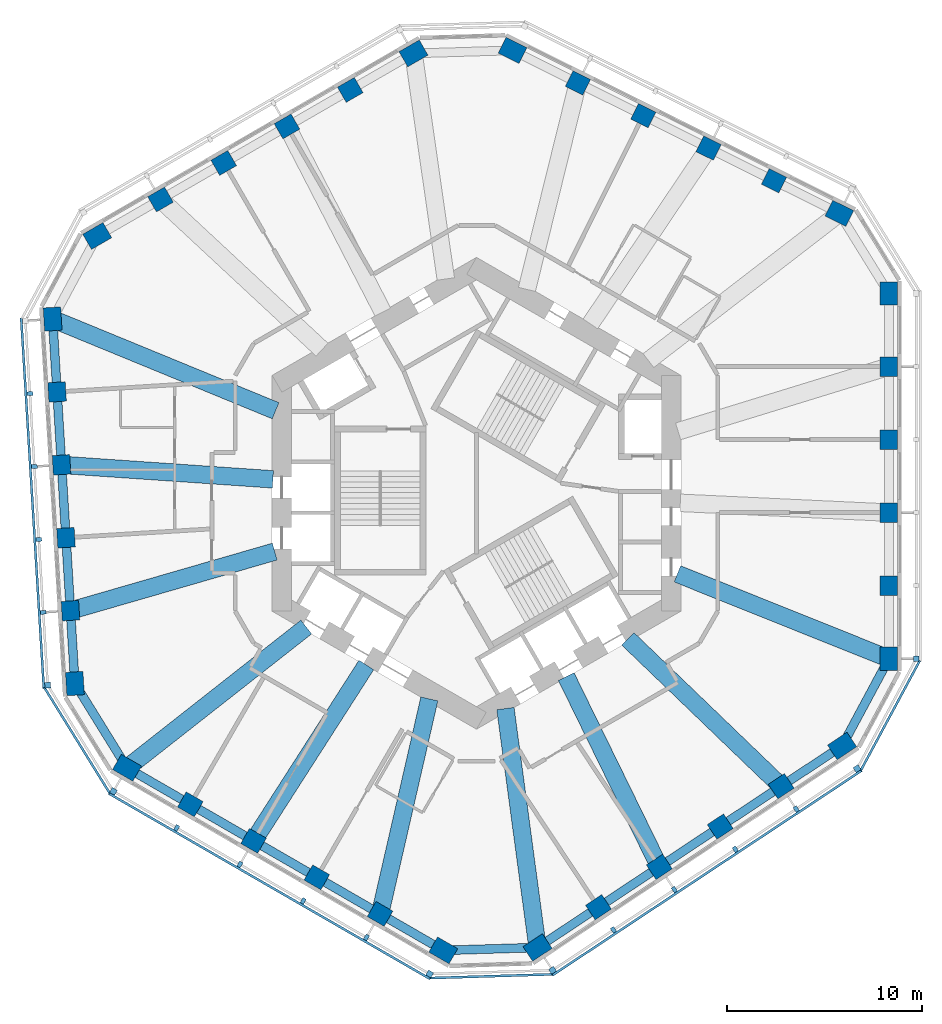
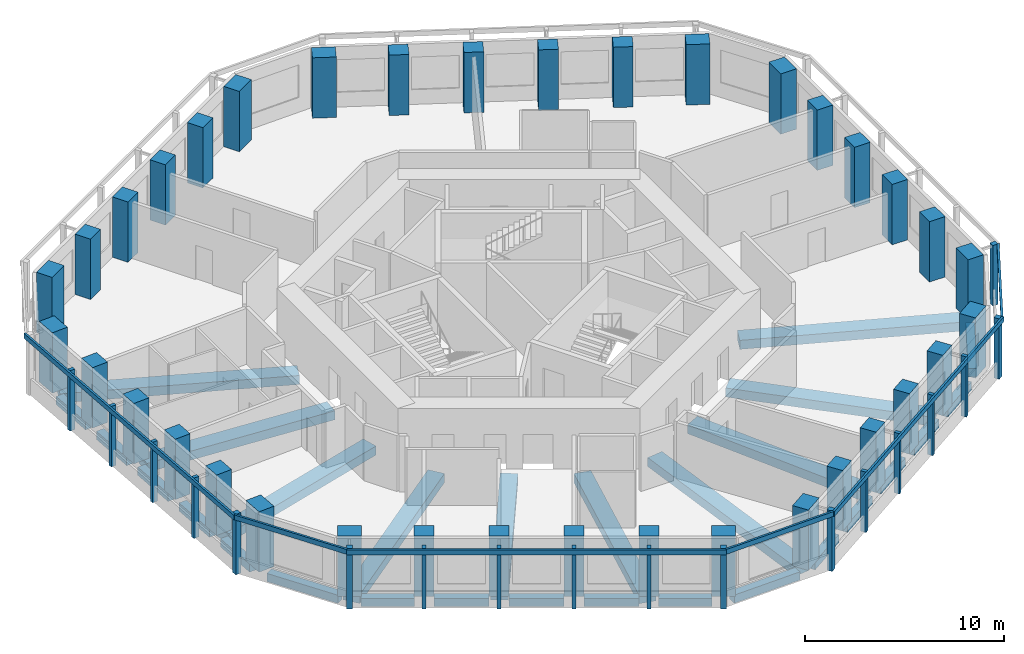
# One storey, part 1 of 10: 36 columns, 28 beams, 24 members, 7 elements without a shape of their own.
"""IFC4 building model written with IfcOpenShell, lengths in metres."""

from ifc_helpers import new_model, si_unit, direction, frame, origin, origin_2d, place, context, subcontext, project, spatial, rectangle, extrude, material, material_profile, profile_set, type_object, element, aggregate, save


model = new_model("IFC4")

# Units and contexts
model_context = context("Model", 3, precision=1e-05, world=origin(), true_north=direction((0.0, 1.0)))
body_context = subcontext(model_context, "Body", "Model", "MODEL_VIEW")
ifc_project = project(units=[si_unit("LENGTHUNIT", "METRE"), si_unit("AREAUNIT", "SQUARE_METRE"), si_unit("VOLUMEUNIT", "CUBIC_METRE"), si_unit("PLANEANGLEUNIT", "RADIAN"), si_unit("MASSUNIT", "GRAM", prefix="KILO")], contexts=[model_context])

# Site, building, storey
site_placement = place(None, origin())
site = spatial("IfcSite", under=ifc_project, at=site_placement, CompositionType="ELEMENT")
building_placement = place(site_placement, origin())
building = spatial("IfcBuilding", under=site, at=building_placement, Name="Vanh Sen Convention Tower", CompositionType="ELEMENT")
storey_placement = place(building_placement, frame((0.0, 0.0, 157.699951171875)))
storey = spatial("IfcBuildingStorey", under=building, at=storey_placement, Name="L38", CompositionType="ELEMENT", Elevation=157.699951171875)

# Columns
ifc_material_1 = material(Name="Concrete C80/95", Category="concrete")
ifc_material_profile_1 = material_profile(ifc_material_1, rectangle(XDim=1.0, YDim=0.89990234375, at=origin_2d()), Name="RC 1000X900")
ifc_profile_set_1 = profile_set([ifc_material_profile_1], Name="Concrete C80/95")
column_type_1 = type_object("IfcColumnType", Name="Facade column 1000 x 900 C80/95", PredefinedType="COLUMN", material=ifc_profile_set_1)
for number, where, z_axis, x_axis, name in (
    (1, (21.199951171875, -4.746826171875, 0.0), (0.0, 0.0, 1.0), (0.0, 1.0, 0.0), "Facade column 02 L38"),
    (2, (21.199951171875, -0.992919921875, 0.0), (0.0, 0.0, 1.0), (0.0, 1.0, 0.0), "Facade column 03 L38"),
    (3, (21.199951171875, 2.76123046875, 0.0), (0.0, 0.0, 1.0), (0.0, 1.0, 0.0), "Facade column 04 L38"),
    (4, (21.199951171875, 6.515380859375, 0.0), (0.0, 0.0, 1.0), (0.0, 1.0, 0.0), "Facade column 05 L38"),
    (5, (15.290283203125, 16.0654296875, 0.0), (0.0, 0.0, 1.0), (-0.894934361602, 0.44619781311, 0.0), "Facade column 08 L38"),
    (6, (11.9306640625, 17.740478515625, 0.0), (0.0, 0.0, 1.0), (-0.894934361602, 0.44619781311, 0.0), "Facade column 09 L38"),
    (7, (8.57080078125, 19.41552734375, 0.0), (0.0, 0.0, 1.0), (-0.894934361602, 0.44619781311, 0.0), "Facade column 10 L38"),
    (8, (5.211181640625, 21.0908203125, 0.0), (0.0, 0.0, 1.0), (-0.894934361602, 0.44619781311, 0.0), "Facade column 11 L38"),
    (9, (-6.489013671875, 20.733154296875, 0.0), (0.0, 0.0, 1.0), (-0.866025403784, -0.5, 0.0), "Facade column 14 L38"),
    (10, (-9.740234375, 18.856201171875, 0.0), (0.0, 0.0, 1.0), (-0.866025403784, -0.5, 0.0), "Facade column 15 L38"),
    (11, (-12.991455078125, 16.97900390625, 0.0), (0.0, 0.0, 1.0), (-0.866025403784, -0.5, 0.0), "Facade column 16 L38"),
    (12, (-16.242431640625, 15.10205078125, 0.0), (0.0, 0.0, 1.0), (-0.866025403784, -0.5, 0.0), "Facade column 17 L38"),
    (13, (-21.55810546875, 5.208984375, 0.0), (0.0, 0.0, 1.0), (0.061048539535, -0.998134798422, 0.0), "Facade column 20 L38"),
    (14, (-21.3291015625, 1.4619140625, 0.0), (0.0, 0.0, 1.0), (0.061048539535, -0.998134798422, 0.0), "Facade column 21 L38"),
    (15, (-21.099853515625, -2.28515625, 0.0), (0.0, 0.0, 1.0), (0.061048539535, -0.998134798422, 0.0), "Facade column 22 L38"),
    (16, (-20.87060546875, -6.0322265625, 0.0), (0.0, 0.0, 1.0), (0.061048539535, -0.998134798422, 0.0), "Facade column 23 L38"),
    (17, (-14.7109375, -15.986328125, 0.0), (0.0, 0.0, 1.0), (0.866025403784, -0.5, 0.0), "Facade column 26 L38"),
    (18, (-11.459716796875, -17.86328125, 0.0), (0.0, 0.0, 1.0), (0.866025403784, -0.5, 0.0), "Facade column 27 L38"),
    (19, (-8.20849609375, -19.740478515625, 0.0), (0.0, 0.0, 1.0), (0.866025403784, -0.5, 0.0), "Facade column 28 L38"),
    (20, (-4.95751953125, -21.617431640625, 0.0), (0.0, 0.0, 1.0), (0.866025403784, -0.5, 0.0), "Facade column 29 L38"),
    (21, (6.267822265625, -21.2744140625, 0.0), (0.0, 0.0, 1.0), (0.833885822067, 0.551936985312, 0.0), "Facade column 32 L38"),
    (22, (9.3984375, -19.202392578125, 0.0), (0.0, 0.0, 1.0), (0.833885822067, 0.551936985312, 0.0), "Facade column 33 L38"),
    (23, (12.52880859375, -17.13037109375, 0.0), (0.0, 0.0, 1.0), (0.833885822067, 0.551936985312, 0.0), "Facade column 34 L38"),
    (24, (15.659423828125, -15.058349609375, 0.0), (0.0, 0.0, 1.0), (0.833885822067, 0.551936985312, 0.0), "Facade column 35 L38"),
):
    element("IfcColumn", number, at=place(storey_placement, frame(where, z_axis=z_axis, x_axis=x_axis)), inside=storey, type_object=column_type_1, Name=name, PredefinedType="COLUMN", context=body_context, shape_type="SweptSolid", body=[
        extrude(rectangle(XDim=1.0, YDim=0.89990234375, at=origin_2d()), origin(), (0.0, 0.0, 1.0), 3.699951171875),
    ])
ifc_material_profile_2 = material_profile(ifc_material_1, rectangle(XDim=1.199951171875, YDim=0.89990234375, at=origin_2d()), Name="RC 1200X900")
ifc_profile_set_2 = profile_set([ifc_material_profile_2], Name="Concrete C80/95")
column_type_2 = type_object("IfcColumnType", Name="Facade corner column 1200 x 900 C80/95", PredefinedType="COLUMN", material=ifc_profile_set_2)
for number, where, z_axis, x_axis, name in (
    (25, (21.199951171875, -8.5009765625, 0.0), (0.0, 0.0, 1.0), (0.0, 1.0, 0.0), "Facade column 01 L38"),
    (26, (21.199951171875, 10.26953125, 0.0), (0.0, 0.0, 1.0), (0.0, 1.0, 0.0), "Facade column 06 L38"),
    (27, (18.64990234375, 14.390380859375, 0.0), (0.0, 0.0, 1.0), (-0.894934361602, 0.44619781311, 0.0), "Facade column 07 L38"),
    (28, (1.8515625, 22.765625, 0.0), (0.0, 0.0, 1.0), (-0.894934361602, 0.44619781311, 0.0), "Facade column 12 L38"),
    (29, (-3.23779296875, 22.610107421875, 0.0), (0.0, 0.0, 1.0), (-0.866025403784, -0.5, 0.0), "Facade column 13 L38"),
    (30, (-19.49365234375, 13.22509765625, 0.0), (0.0, 0.0, 1.0), (-0.866025403784, -0.5, 0.0), "Facade column 18 L38"),
    (31, (-21.787353515625, 8.956298828125, 0.0), (0.0, 0.0, 1.0), (0.061048539535, -0.998134798422, 0.0), "Facade column 19 L38"),
    (32, (-20.6416015625, -9.779296875, 0.0), (0.0, 0.0, 1.0), (0.061048539535, -0.998134798422, 0.0), "Facade column 24 L38"),
    (33, (-17.962158203125, -14.109130859375, 0.0), (0.0, 0.0, 1.0), (0.866025403784, -0.5, 0.0), "Facade column 25 L38"),
    (34, (-1.706298828125, -23.494384765625, 0.0), (0.0, 0.0, 1.0), (0.866025403784, -0.5, 0.0), "Facade column 30 L38"),
    (35, (3.137451171875, -23.346435546875, 0.0), (0.0, 0.0, 1.0), (0.833885822067, 0.551936985312, 0.0), "Facade column 31 L38"),
    (36, (18.789794921875, -12.986328125, 0.0), (0.0, 0.0, 1.0), (0.833885822067, 0.551936985312, 0.0), "Facade column 36 L38"),
):
    element("IfcColumn", number, at=place(storey_placement, frame(where, z_axis=z_axis, x_axis=x_axis)), inside=storey, type_object=column_type_2, Name=name, PredefinedType="COLUMN", context=body_context, shape_type="SweptSolid", body=[
        extrude(rectangle(XDim=1.199951171875, YDim=0.89990234375, at=origin_2d()), origin(), (0.0, 0.0, 1.0), 3.699951171875),
    ])

# Curtain wall, member
ifc_material_2 = material(Name="Concrete C50/60", Category="concrete")
curtain_wall_type = type_object("IfcCurtainWallType", Name="Outer skin office zone", PredefinedType="NOTDEFINED", material=ifc_material_2)
curtain_wall_1_placement = place(storey_placement, origin())
curtain_wall_1 = element("IfcCurtainWall", 37, at=curtain_wall_1_placement, inside=storey, type_object=curtain_wall_type, Name="OUTER SKIN E L38", PredefinedType="NOTDEFINED")
ifc_material_profile_3 = material_profile(ifc_material_2, rectangle(XDim=0.300048828125, YDim=0.300048828125, at=origin_2d()), Name="Outer skin precast corner fin 300 x 300")
ifc_profile_set_3 = profile_set([ifc_material_profile_3], Name="Concrete C50/60")
member_type_1 = type_object("IfcMemberType", Name="Outer skin precast corner fin 300 x 300", PredefinedType="MULLION", material=ifc_profile_set_3)
member_1_placement = place(storey_placement, frame((22.60009765625, -8.5009765625, 0.0), z_axis=(0.0, 0.0, 1.0), x_axis=(0.0, 1.0, 0.0)))
member_1 = element("IfcMember", 38, at=member_1_placement, type_object=member_type_1, Name="OUTER SKIN CORNER FIN 1 E L38", PredefinedType="MULLION", context=body_context, shape_type="SweptSolid", body=[
    extrude(rectangle(XDim=0.300048828125, YDim=0.300048828125, at=origin_2d()), origin(), (0.0, 0.0, 1.0), 3.699951171875),
])
aggregate(curtain_wall_1, [member_1])

curtain_wall_2_placement = place(storey_placement, origin())
curtain_wall_2 = element("IfcCurtainWall", 39, at=curtain_wall_2_placement, inside=storey, type_object=curtain_wall_type, Name="OUTER SKIN W L38", PredefinedType="NOTDEFINED")
member_2_placement = place(storey_placement, frame((-22.038818359375, -9.864990234375, 0.0), z_axis=(0.0, 0.0, 1.0), x_axis=(0.061048539535, -0.998134798422, 0.0)))
member_2 = element("IfcMember", 40, at=member_2_placement, type_object=member_type_1, Name="OUTER SKIN CORNER FIN 6 W L38", PredefinedType="MULLION", context=body_context, shape_type="SweptSolid", body=[
    extrude(rectangle(XDim=0.300048828125, YDim=0.300048828125, at=origin_2d()), origin(), (0.0, 0.0, 1.0), 3.699951171875),
])

# Curtain wall, members
curtain_wall_3_placement = place(storey_placement, origin())
curtain_wall_3 = element("IfcCurtainWall", 41, at=curtain_wall_3_placement, inside=storey, type_object=curtain_wall_type, Name="OUTER SKIN SW L38", PredefinedType="NOTDEFINED")
member_3_placement = place(storey_placement, frame((-18.662109375, -15.321533203125, 0.0), z_axis=(0.0, 0.0, 1.0), x_axis=(0.866025403784, -0.5, 0.0)))
member_3 = element("IfcMember", 42, at=member_3_placement, type_object=member_type_1, Name="OUTER SKIN CORNER FIN 1 SW L38", PredefinedType="MULLION", context=body_context, shape_type="SweptSolid", body=[
    extrude(rectangle(XDim=0.300048828125, YDim=0.300048828125, at=origin_2d()), origin(), (0.0, 0.0, 1.0), 3.699951171875),
])
member_4_placement = place(storey_placement, frame((-2.40625, -24.706787109375, 0.0), z_axis=(0.0, 0.0, 1.0), x_axis=(0.866025403784, -0.5, 0.0)))
member_4 = element("IfcMember", 43, at=member_4_placement, type_object=member_type_1, Name="OUTER SKIN CORNER FIN 6 SW L38", PredefinedType="MULLION", context=body_context, shape_type="SweptSolid", body=[
    extrude(rectangle(XDim=0.300048828125, YDim=0.300048828125, at=origin_2d()), origin(), (0.0, 0.0, 1.0), 3.699951171875),
])

curtain_wall_4_placement = place(storey_placement, origin())
curtain_wall_4 = element("IfcCurtainWall", 44, at=curtain_wall_4_placement, inside=storey, type_object=curtain_wall_type, Name="OUTER SKIN SE L38", PredefinedType="NOTDEFINED")
member_5_placement = place(storey_placement, frame((3.91015625, -24.513916015625, 0.0), z_axis=(0.0, 0.0, 1.0), x_axis=(0.833885822067, 0.551936985312, 0.0)))
member_5 = element("IfcMember", 45, at=member_5_placement, type_object=member_type_1, Name="OUTER SKIN CORNER FIN 1 SE L38", PredefinedType="MULLION", context=body_context, shape_type="SweptSolid", body=[
    extrude(rectangle(XDim=0.300048828125, YDim=0.300048828125, at=origin_2d()), origin(), (0.0, 0.0, 1.0), 3.699951171875),
])
member_6_placement = place(storey_placement, frame((19.5625, -14.15380859375, 0.0), z_axis=(0.0, 0.0, 1.0), x_axis=(0.833885822067, 0.551936985312, 0.0)))
member_6 = element("IfcMember", 46, at=member_6_placement, type_object=member_type_1, Name="OUTER SKIN CORNER FIN 6 SE L38", PredefinedType="MULLION", context=body_context, shape_type="SweptSolid", body=[
    extrude(rectangle(XDim=0.300048828125, YDim=0.300048828125, at=origin_2d()), origin(), (0.0, 0.0, 1.0), 3.699951171875),
])

# Member
ifc_material_profile_4 = material_profile(ifc_material_2, rectangle(XDim=0.199951171875, YDim=0.300048828125, at=origin_2d()), Name="Outer skin precast fin 200 x 300")
ifc_profile_set_4 = profile_set([ifc_material_profile_4], Name="Concrete C50/60")
member_type_2 = type_object("IfcMemberType", Name="Outer skin precast fin 200 x 300", PredefinedType="MULLION", material=ifc_profile_set_4)
member_7_placement = place(storey_placement, frame((-22.95556640625, 5.12353515625, 0.0), z_axis=(0.0, 0.0, 1.0), x_axis=(0.061048539535, -0.998134798422, 0.0)))
member_7 = element("IfcMember", 47, at=member_7_placement, type_object=member_type_2, Name="OUTER SKIN fin 2 W L38", PredefinedType="MULLION", context=body_context, shape_type="SweptSolid", body=[
    extrude(rectangle(XDim=0.199951171875, YDim=0.300048828125, at=origin_2d()), origin(), (0.0, 0.0, 1.0), 3.699951171875),
])

member_8_placement = place(storey_placement, frame((-22.726318359375, 1.37646484375, 0.0), z_axis=(0.0, 0.0, 1.0), x_axis=(0.061048539535, -0.998134798422, 0.0)))
member_8 = element("IfcMember", 48, at=member_8_placement, type_object=member_type_2, Name="OUTER SKIN fin 3 W L38", PredefinedType="MULLION", context=body_context, shape_type="SweptSolid", body=[
    extrude(rectangle(XDim=0.199951171875, YDim=0.300048828125, at=origin_2d()), origin(), (0.0, 0.0, 1.0), 3.699951171875),
])

member_9_placement = place(storey_placement, frame((-22.497314453125, -2.37060546875, 0.0), z_axis=(0.0, 0.0, 1.0), x_axis=(0.061048539535, -0.998134798422, 0.0)))
member_9 = element("IfcMember", 49, at=member_9_placement, type_object=member_type_2, Name="OUTER SKIN fin 4 W L38", PredefinedType="MULLION", context=body_context, shape_type="SweptSolid", body=[
    extrude(rectangle(XDim=0.199951171875, YDim=0.300048828125, at=origin_2d()), origin(), (0.0, 0.0, 1.0), 3.699951171875),
])

member_10_placement = place(storey_placement, frame((-22.26806640625, -6.117919921875, 0.0), z_axis=(0.0, 0.0, 1.0), x_axis=(0.061048539535, -0.998134798422, 0.0)))
member_10 = element("IfcMember", 50, at=member_10_placement, type_object=member_type_2, Name="OUTER SKIN fin 5 W L38", PredefinedType="MULLION", context=body_context, shape_type="SweptSolid", body=[
    extrude(rectangle(XDim=0.199951171875, YDim=0.300048828125, at=origin_2d()), origin(), (0.0, 0.0, 1.0), 3.699951171875),
])

member_11_placement = place(storey_placement, frame((-15.410888671875, -17.19873046875, 0.0), z_axis=(0.0, 0.0, 1.0), x_axis=(0.866025403784, -0.5, 0.0)))
member_11 = element("IfcMember", 51, at=member_11_placement, type_object=member_type_2, Name="OUTER SKIN fin 2 SW L38", PredefinedType="MULLION", context=body_context, shape_type="SweptSolid", body=[
    extrude(rectangle(XDim=0.199951171875, YDim=0.300048828125, at=origin_2d()), origin(), (0.0, 0.0, 1.0), 3.699951171875),
])

member_12_placement = place(storey_placement, frame((-12.159912109375, -19.07568359375, 0.0), z_axis=(0.0, 0.0, 1.0), x_axis=(0.866025403784, -0.5, 0.0)))
member_12 = element("IfcMember", 52, at=member_12_placement, type_object=member_type_2, Name="OUTER SKIN fin 3 SW L38", PredefinedType="MULLION", context=body_context, shape_type="SweptSolid", body=[
    extrude(rectangle(XDim=0.199951171875, YDim=0.300048828125, at=origin_2d()), origin(), (0.0, 0.0, 1.0), 3.699951171875),
])

member_13_placement = place(storey_placement, frame((-8.90869140625, -20.952880859375, 0.0), z_axis=(0.0, 0.0, 1.0), x_axis=(0.866025403784, -0.5, 0.0)))
member_13 = element("IfcMember", 53, at=member_13_placement, type_object=member_type_2, Name="OUTER SKIN fin 4 SW L38", PredefinedType="MULLION", context=body_context, shape_type="SweptSolid", body=[
    extrude(rectangle(XDim=0.199951171875, YDim=0.300048828125, at=origin_2d()), origin(), (0.0, 0.0, 1.0), 3.699951171875),
])

member_14_placement = place(storey_placement, frame((-5.657470703125, -22.829833984375, 0.0), z_axis=(0.0, 0.0, 1.0), x_axis=(0.866025403784, -0.5, 0.0)))
member_14 = element("IfcMember", 54, at=member_14_placement, type_object=member_type_2, Name="OUTER SKIN fin 5 SW L38", PredefinedType="MULLION", context=body_context, shape_type="SweptSolid", body=[
    extrude(rectangle(XDim=0.199951171875, YDim=0.300048828125, at=origin_2d()), origin(), (0.0, 0.0, 1.0), 3.699951171875),
])

member_15_placement = place(storey_placement, frame((7.04052734375, -22.44189453125, 0.0), z_axis=(0.0, 0.0, 1.0), x_axis=(0.833885822067, 0.551936985312, 0.0)))
member_15 = element("IfcMember", 55, at=member_15_placement, type_object=member_type_2, Name="OUTER SKIN fin 2 SE L38", PredefinedType="MULLION", context=body_context, shape_type="SweptSolid", body=[
    extrude(rectangle(XDim=0.199951171875, YDim=0.300048828125, at=origin_2d()), origin(), (0.0, 0.0, 1.0), 3.699951171875),
])

member_16_placement = place(storey_placement, frame((10.171142578125, -20.369873046875, 0.0), z_axis=(0.0, 0.0, 1.0), x_axis=(0.833885822067, 0.551936985312, 0.0)))
member_16 = element("IfcMember", 56, at=member_16_placement, type_object=member_type_2, Name="OUTER SKIN fin 3 SE L38", PredefinedType="MULLION", context=body_context, shape_type="SweptSolid", body=[
    extrude(rectangle(XDim=0.199951171875, YDim=0.300048828125, at=origin_2d()), origin(), (0.0, 0.0, 1.0), 3.699951171875),
])

member_17_placement = place(storey_placement, frame((13.301513671875, -18.2978515625, 0.0), z_axis=(0.0, 0.0, 1.0), x_axis=(0.833885822067, 0.551936985312, 0.0)))
member_17 = element("IfcMember", 57, at=member_17_placement, type_object=member_type_2, Name="OUTER SKIN fin 4 SE L38", PredefinedType="MULLION", context=body_context, shape_type="SweptSolid", body=[
    extrude(rectangle(XDim=0.199951171875, YDim=0.300048828125, at=origin_2d()), origin(), (0.0, 0.0, 1.0), 3.699951171875),
])

member_18_placement = place(storey_placement, frame((16.43212890625, -16.225830078125, 0.0), z_axis=(0.0, 0.0, 1.0), x_axis=(0.833885822067, 0.551936985312, 0.0)))
member_18 = element("IfcMember", 58, at=member_18_placement, type_object=member_type_2, Name="OUTER SKIN fin 5 SE L38", PredefinedType="MULLION", context=body_context, shape_type="SweptSolid", body=[
    extrude(rectangle(XDim=0.199951171875, YDim=0.300048828125, at=origin_2d()), origin(), (0.0, 0.0, 1.0), 3.699951171875),
])

ifc_material_profile_5 = material_profile(ifc_material_2, rectangle(XDim=0.1201171875, YDim=0.300048828125, at=origin_2d()), Name="Outer skin precast spandrel band 300 x 120")
ifc_profile_set_5 = profile_set([ifc_material_profile_5], Name="Concrete C50/60")
member_type_3 = type_object("IfcMemberType", Name="Outer skin precast spandrel band 300 x 120", PredefinedType="USERDEFINED", material=ifc_profile_set_5)
member_19_placement = place(storey_placement, frame((-23.403564453125, 9.007568359375, 3.550048828125), z_axis=(0.061052799403, -0.998134537868, 0.0), x_axis=(0.998134537868, 0.061052799403, 0.0)))
member_19 = element("IfcMember", 59, at=member_19_placement, type_object=member_type_3, Name="OUTER SKIN spandrel band W L38", ObjectType="TRANSOM", PredefinedType="USERDEFINED", context=body_context, shape_type="SweptSolid", body=[
    extrude(rectangle(XDim=0.1201171875, YDim=0.300048828125, at=origin_2d()), origin(), (0.0, 0.0, 1.0), 19.070556640625),
])

aggregate(curtain_wall_2, [member_7, member_8, member_9, member_10, member_2, member_19])

# Curtain wall, member
curtain_wall_5_placement = place(storey_placement, origin())
curtain_wall_5 = element("IfcCurtainWall", 60, at=curtain_wall_5_placement, inside=storey, type_object=curtain_wall_type, Name="OUTER SKIN CH4 L38", PredefinedType="NOTDEFINED")
member_20_placement = place(storey_placement, frame((-22.217529296875, -9.975341796875, 3.550048828125), z_axis=(0.526207913146, -0.85035594438, 0.0), x_axis=(0.85035594438, 0.526207913146, 0.0)))
member_20 = element("IfcMember", 61, at=member_20_placement, type_object=member_type_3, Name="OUTER SKIN spandrel band CH4 L38", ObjectType="TRANSOM", PredefinedType="USERDEFINED", context=body_context, shape_type="SweptSolid", body=[
    extrude(rectangle(XDim=0.1201171875, YDim=0.300048828125, at=origin_2d()), origin(), (0.0, 0.0, 1.0), 6.4169921875),
])
aggregate(curtain_wall_5, [member_20])

# Member
member_21_placement = place(storey_placement, frame((-18.89697265625, -15.428466796875, 3.550048828125), z_axis=(0.866023136587, -0.500003926881, 0.0), x_axis=(0.500003926881, 0.866023136587, 0.0)))
member_21 = element("IfcMember", 62, at=member_21_placement, type_object=member_type_3, Name="OUTER SKIN spandrel band SW L38", ObjectType="TRANSOM", PredefinedType="USERDEFINED", context=body_context, shape_type="SweptSolid", body=[
    extrude(rectangle(XDim=0.1201171875, YDim=0.300048828125, at=origin_2d()), origin(), (0.0, 0.0, 1.0), 19.070556640625),
])

aggregate(curtain_wall_3, [member_3, member_11, member_12, member_13, member_14, member_4, member_21])

# Curtain wall, member
curtain_wall_6_placement = place(storey_placement, origin())
curtain_wall_6 = element("IfcCurtainWall", 63, at=curtain_wall_6_placement, inside=storey, type_object=curtain_wall_type, Name="OUTER SKIN CH5 L38", PredefinedType="NOTDEFINED")
member_22_placement = place(storey_placement, frame((-2.39990234375, -24.916748046875, 3.550048828125), z_axis=(0.99953413443, 0.030520716071, 0.0), x_axis=(-0.030520716071, 0.99953413443, 0.0)))
member_22 = element("IfcMember", 64, at=member_22_placement, type_object=member_type_3, Name="OUTER SKIN spandrel band CH5 L38", ObjectType="TRANSOM", PredefinedType="USERDEFINED", context=body_context, shape_type="SweptSolid", body=[
    extrude(rectangle(XDim=0.1201171875, YDim=0.300048828125, at=origin_2d()), origin(), (0.0, 0.0, 1.0), 6.3193359375),
])
aggregate(curtain_wall_6, [member_22])

# Member
member_23_placement = place(storey_placement, frame((3.90087890625, -24.771728515625, 3.550048828125), z_axis=(0.833891134859, 0.551928958475, 0.0), x_axis=(-0.551928958475, 0.833891134859, 0.0)))
member_23 = element("IfcMember", 65, at=member_23_placement, type_object=member_type_3, Name="OUTER SKIN spandrel band SE L38", ObjectType="TRANSOM", PredefinedType="USERDEFINED", context=body_context, shape_type="SweptSolid", body=[
    extrude(rectangle(XDim=0.1201171875, YDim=0.300048828125, at=origin_2d()), origin(), (0.0, 0.0, 1.0), 19.070556640625),
])

aggregate(curtain_wall_4, [member_5, member_15, member_16, member_17, member_18, member_6, member_23])

# Curtain wall, member
curtain_wall_7_placement = place(storey_placement, origin())
curtain_wall_7 = element("IfcCurtainWall", 66, at=curtain_wall_7_placement, inside=storey, type_object=curtain_wall_type, Name="OUTER SKIN CH6 L38", PredefinedType="NOTDEFINED")
member_24_placement = place(storey_placement, frame((19.74755859375, -14.253173828125, 3.550048828125), z_axis=(0.473316922434, 0.880892213008, 0.0), x_axis=(-0.880892213008, 0.473316922434, 0.0)))
member_24 = element("IfcMember", 67, at=member_24_placement, type_object=member_type_3, Name="OUTER SKIN spandrel band CH6 L38", ObjectType="TRANSOM", PredefinedType="USERDEFINED", context=body_context, shape_type="SweptSolid", body=[
    extrude(rectangle(XDim=0.1201171875, YDim=0.300048828125, at=origin_2d()), origin(), (0.0, 0.0, 1.0), 6.417236328125),
])
aggregate(curtain_wall_7, [member_24])

# Beams
ifc_material_3 = material(Name="Concrete C50/60", Category="concrete")
ifc_material_profile_6 = material_profile(ifc_material_3, rectangle(XDim=0.89990234375, YDim=0.550048828125, at=origin_2d()), Name="RC 900X550")
ifc_profile_set_6 = profile_set([ifc_material_profile_6], Name="Concrete C50/60")
beam_type_1 = type_object("IfcBeamType", Name="Radial floor beam 900 x 550", PredefinedType="BEAM", material=ifc_profile_set_6)
beam_1_placement = place(storey_placement, frame((20.922119140625, -8.3896484375, -0.554931640625), z_axis=(-0.928156247891, 0.372190783739, 0.0), x_axis=(-0.372190783739, -0.928156247891, 0.0)))
element("IfcBeam", 68, at=beam_1_placement, inside=storey, type_object=beam_type_1, Name="Radial beam 01 L38", PredefinedType="BEAM", context=body_context, shape_type="SweptSolid", body=[
    extrude(rectangle(XDim=0.89990234375, YDim=0.550048828125, at=origin_2d()), origin(), (0.0, 0.0, 1.0), 11.414306640625),
])
beam_2_placement = place(storey_placement, frame((-21.53125, 8.850830078125, -0.554931640625), z_axis=(0.92490243395, -0.380204533998, 0.0), x_axis=(0.380204533998, 0.92490243395, 0.0)))
element("IfcBeam", 69, at=beam_2_placement, inside=storey, type_object=beam_type_1, Name="Radial beam 10 L38", PredefinedType="BEAM", context=body_context, shape_type="SweptSolid", body=[
    extrude(rectangle(XDim=0.89990234375, YDim=0.550048828125, at=origin_2d()), origin(), (0.0, 0.0, 1.0), 12.116943359375),
])
beam_3_placement = place(storey_placement, frame((-20.939697265625, 1.435302734375, -0.554931640625), z_axis=(0.997659241785, -0.068381556588, 0.0), x_axis=(0.068381556588, 0.997659241785, 0.0)))
element("IfcBeam", 70, at=beam_3_placement, inside=storey, type_object=beam_type_1, Name="Radial beam 11 L38", PredefinedType="BEAM", context=body_context, shape_type="SweptSolid", body=[
    extrude(rectangle(XDim=0.89990234375, YDim=0.550048828125, at=origin_2d()), origin(), (0.0, 0.0, 1.0), 10.500244140625),
])
beam_4_placement = place(storey_placement, frame((-20.60791015625, -5.956298828125, -0.554931640625), z_axis=(0.960679153389, 0.277660879932, 0.0), x_axis=(-0.277660879932, 0.960679153389, 0.0)))
element("IfcBeam", 71, at=beam_4_placement, inside=storey, type_object=beam_type_1, Name="Radial beam 12 L38", PredefinedType="BEAM", context=body_context, shape_type="SweptSolid", body=[
    extrude(rectangle(XDim=0.89990234375, YDim=0.550048828125, at=origin_2d()), origin(), (0.0, 0.0, 1.0), 10.65673828125),
])
beam_5_placement = place(storey_placement, frame((-17.726806640625, -13.92431640625, -0.554931640625), z_axis=(0.786405168583, 0.61771102534, 0.0), x_axis=(-0.61771102534, 0.786405168583, 0.0)))
element("IfcBeam", 72, at=beam_5_placement, inside=storey, type_object=beam_type_1, Name="Radial beam 13 L38", PredefinedType="BEAM", context=body_context, shape_type="SweptSolid", body=[
    extrude(rectangle(XDim=0.89990234375, YDim=0.550048828125, at=origin_2d()), origin(), (0.0, 0.0, 1.0), 11.414306640625),
])
beam_6_placement = place(storey_placement, frame((-11.230712890625, -17.506103515625, -0.554931640625), z_axis=(0.539962921318, 0.841688804489, 0.0), x_axis=(-0.841688804489, 0.539962921318, 0.0)))
element("IfcBeam", 73, at=beam_6_placement, inside=storey, type_object=beam_type_1, Name="Radial beam 14 L38", PredefinedType="BEAM", context=body_context, shape_type="SweptSolid", body=[
    extrude(rectangle(XDim=0.89990234375, YDim=0.550048828125, at=origin_2d()), origin(), (0.0, 0.0, 1.0), 10.3134765625),
])
beam_7_placement = place(storey_placement, frame((-4.905517578125, -21.390625, -0.554931640625), z_axis=(0.223529773199, 0.974697101921, 0.0), x_axis=(-0.974697101921, 0.223529773199, 0.0)))
element("IfcBeam", 74, at=beam_7_placement, inside=storey, type_object=beam_type_1, Name="Radial beam 15 L38", PredefinedType="BEAM", context=body_context, shape_type="SweptSolid", body=[
    extrude(rectangle(XDim=0.89990234375, YDim=0.550048828125, at=origin_2d()), origin(), (0.0, 0.0, 1.0), 11.1044921875),
])
beam_8_placement = place(storey_placement, frame((3.1005859375, -23.072021484375, -0.554931640625), z_axis=(-0.133182520442, 0.991091527685, 0.0), x_axis=(-0.991091527685, -0.133182520442, 0.0)))
element("IfcBeam", 75, at=beam_8_placement, inside=storey, type_object=beam_type_1, Name="Radial beam 16 L38", PredefinedType="BEAM", context=body_context, shape_type="SweptSolid", body=[
    extrude(rectangle(XDim=0.89990234375, YDim=0.550048828125, at=origin_2d()), origin(), (0.0, 0.0, 1.0), 12.116943359375),
])
beam_9_placement = place(storey_placement, frame((9.226806640625, -18.85205078125, -0.554931640625), z_axis=(-0.439589583386, 0.898198752047, 0.0), x_axis=(-0.898198752047, -0.439589583386, 0.0)))
element("IfcBeam", 76, at=beam_9_placement, inside=storey, type_object=beam_type_1, Name="Radial beam 17 L38", PredefinedType="BEAM", context=body_context, shape_type="SweptSolid", body=[
    extrude(rectangle(XDim=0.89990234375, YDim=0.550048828125, at=origin_2d()), origin(), (0.0, 0.0, 1.0), 10.5),
])
beam_10_placement = place(storey_placement, frame((15.462158203125, -14.868896484375, -0.554931640625), z_axis=(-0.720797844742, 0.693145343356, 0.0), x_axis=(-0.693145343356, -0.720797844742, 0.0)))
element("IfcBeam", 77, at=beam_10_placement, inside=storey, type_object=beam_type_1, Name="Radial beam 18 L38", PredefinedType="BEAM", context=body_context, shape_type="SweptSolid", body=[
    extrude(rectangle(XDim=0.89990234375, YDim=0.550048828125, at=origin_2d()), origin(), (0.0, 0.0, 1.0), 10.656494140625),
])
ifc_material_profile_7 = material_profile(ifc_material_3, rectangle(XDim=0.449951171875, YDim=0.5, at=origin_2d()), Name="RC 450X500")
ifc_profile_set_7 = profile_set([ifc_material_profile_7], Name="Concrete C50/60")
beam_type_2 = type_object("IfcBeamType", Name="Spandrel beam 450 x 500", PredefinedType="SPANDREL", material=ifc_profile_set_7)
beam_11_placement = place(storey_placement, frame((-21.751220703125, 8.3623046875, -0.530029296875), z_axis=(0.061123105648, -0.998130234967, 0.0), x_axis=(0.998130234967, 0.061123105648, 0.0)))
element("IfcBeam", 78, at=beam_11_placement, inside=storey, type_object=beam_type_2, Name="Spandrel beam 19 L38", PredefinedType="SPANDREL", context=body_context, shape_type="SweptSolid", body=[
    extrude(rectangle(XDim=0.449951171875, YDim=0.5, at=origin_2d()), origin(), (0.0, 0.0, 1.0), 2.6640625),
])
for number, where, z_axis, x_axis, name in (
    (79, (-21.528076171875, 4.715087890625, -0.530029296875), (0.061113654492, -0.998130813689, 0.0), (0.998130813689, 0.061113654492, 0.0), "Spandrel beam 20 L38"),
    (80, (-21.298828125, 0.968017578125, -0.530029296875), (0.061113654492, -0.998130813689, 0.0), (0.998130813689, 0.061113654492, 0.0), "Spandrel beam 21 L38"),
):
    element("IfcBeam", number, at=place(storey_placement, frame(where, z_axis=z_axis, x_axis=x_axis)), inside=storey, type_object=beam_type_2, Name=name, PredefinedType="SPANDREL", context=body_context, shape_type="SweptSolid", body=[
        extrude(rectangle(XDim=0.449951171875, YDim=0.5, at=origin_2d()), origin(), (0.0, 0.0, 1.0), 2.764404296875),
    ])
beam_12_placement = place(storey_placement, frame((-21.069580078125, -2.779296875, -0.530029296875), z_axis=(0.061036429863, -0.998135539007, 0.0), x_axis=(0.998135539007, 0.061036429863, 0.0)))
element("IfcBeam", 81, at=beam_12_placement, inside=storey, type_object=beam_type_2, Name="Spandrel beam 22 L38", PredefinedType="SPANDREL", context=body_context, shape_type="SweptSolid", body=[
    extrude(rectangle(XDim=0.449951171875, YDim=0.5, at=origin_2d()), origin(), (0.0, 0.0, 1.0), 2.763916015625),
])
beam_13_placement = place(storey_placement, frame((-20.840576171875, -6.5263671875, -0.530029296875), z_axis=(0.061123105648, -0.998130234967, 0.0), x_axis=(0.998130234967, 0.061123105648, 0.0)))
element("IfcBeam", 82, at=beam_13_placement, inside=storey, type_object=beam_type_2, Name="Spandrel beam 23 L38", PredefinedType="SPANDREL", context=body_context, shape_type="SweptSolid", body=[
    extrude(rectangle(XDim=0.449951171875, YDim=0.5, at=origin_2d()), origin(), (0.0, 0.0, 1.0), 2.6640625),
])
beam_14_placement = place(storey_placement, frame((-20.3642578125, -10.2275390625, -0.530029296875), z_axis=(0.526210982295, -0.850354045156, 0.0), x_axis=(0.850354045156, 0.526210982295, 0.0)))
element("IfcBeam", 83, at=beam_14_placement, inside=storey, type_object=beam_type_2, Name="Spandrel beam 24 L38", PredefinedType="SPANDREL", context=body_context, shape_type="SweptSolid", body=[
    extrude(rectangle(XDim=0.449951171875, YDim=0.5, at=origin_2d()), origin(), (0.0, 0.0, 1.0), 4.037841796875),
])
beam_15_placement = place(storey_placement, frame((-17.44677734375, -14.40673828125, -0.530029296875), z_axis=(0.866023818221, -0.500002746266, 0.0), x_axis=(0.500002746266, 0.866023818221, 0.0)))
element("IfcBeam", 84, at=beam_15_placement, inside=storey, type_object=beam_type_2, Name="Spandrel beam 25 L38", PredefinedType="SPANDREL", context=body_context, shape_type="SweptSolid", body=[
    extrude(rectangle(XDim=0.449951171875, YDim=0.5, at=origin_2d()), origin(), (0.0, 0.0, 1.0), 2.6640625),
])
beam_16_placement = place(storey_placement, frame((-14.2822265625, -16.23388671875, -0.530029296875), z_axis=(0.866060565847, -0.499939092575, 0.0), x_axis=(0.499939092575, 0.866060565847, 0.0)))
element("IfcBeam", 85, at=beam_16_placement, inside=storey, type_object=beam_type_2, Name="Spandrel beam 26 L38", PredefinedType="SPANDREL", context=body_context, shape_type="SweptSolid", body=[
    extrude(rectangle(XDim=0.449951171875, YDim=0.5, at=origin_2d()), origin(), (0.0, 0.0, 1.0), 2.763916015625),
])
for number, where, z_axis, x_axis, name in (
    (86, (-11.031005859375, -18.11083984375, -0.530029296875), (0.866022320763, -0.500005339912, 0.0), (0.500005339912, 0.866022320763, 0.0), "Spandrel beam 27 L38"),
    (87, (-7.77978515625, -19.98779296875, -0.530029296875), (0.865961984968, -0.500109828528, 0.0), (0.500109828528, 0.865961984968, 0.0), "Spandrel beam 28 L38"),
):
    element("IfcBeam", number, at=place(storey_placement, frame(where, z_axis=z_axis, x_axis=x_axis)), inside=storey, type_object=beam_type_2, Name=name, PredefinedType="SPANDREL", context=body_context, shape_type="SweptSolid", body=[
        extrude(rectangle(XDim=0.449951171875, YDim=0.5, at=origin_2d()), origin(), (0.0, 0.0, 1.0), 2.76416015625),
    ])
beam_17_placement = place(storey_placement, frame((-4.52880859375, -21.864990234375, -0.530029296875), z_axis=(0.866023818221, -0.500002746266, 0.0), x_axis=(0.500002746266, 0.866023818221, 0.0)))
element("IfcBeam", 88, at=beam_17_placement, inside=storey, type_object=beam_type_2, Name="Spandrel beam 29 L38", PredefinedType="SPANDREL", context=body_context, shape_type="SweptSolid", body=[
    extrude(rectangle(XDim=0.449951171875, YDim=0.5, at=origin_2d()), origin(), (0.0, 0.0, 1.0), 2.6640625),
])
beam_18_placement = place(storey_placement, frame((-1.219970703125, -23.4794921875, -0.530029296875), z_axis=(0.999534445971, 0.030510511595, 0.0), x_axis=(-0.030510511595, 0.999534445971, 0.0)))
element("IfcBeam", 89, at=beam_18_placement, inside=storey, type_object=beam_type_2, Name="Spandrel beam 30 L38", PredefinedType="SPANDREL", context=body_context, shape_type="SweptSolid", body=[
    extrude(rectangle(XDim=0.449951171875, YDim=0.5, at=origin_2d()), origin(), (0.0, 0.0, 1.0), 3.872802734375),
])
beam_19_placement = place(storey_placement, frame((3.633544921875, -23.01806640625, -0.530029296875), z_axis=(0.833864593577, 0.551969056722, 0.0), x_axis=(-0.551969056722, 0.833864593577, 0.0)))
element("IfcBeam", 90, at=beam_19_placement, inside=storey, type_object=beam_type_2, Name="Spandrel beam 31 L38", PredefinedType="SPANDREL", context=body_context, shape_type="SweptSolid", body=[
    extrude(rectangle(XDim=0.449951171875, YDim=0.5, at=origin_2d()), origin(), (0.0, 0.0, 1.0), 2.6640625),
])
for number, where, z_axis, x_axis, name in (
    (91, (6.6806640625, -21.001220703125, -0.530029296875), (0.833880195108, 0.551945486625, 0.0), (-0.551945486625, 0.833880195108, 0.0), "Spandrel beam 32 L38"),
    (92, (9.811279296875, -18.92919921875, -0.530029296875), (0.833880195108, 0.551945486625, 0.0), (-0.551945486625, 0.833880195108, 0.0), "Spandrel beam 33 L38"),
    (93, (12.941650390625, -16.857177734375, -0.530029296875), (0.833880195108, 0.551945486625, 0.0), (-0.551945486625, 0.833880195108, 0.0), "Spandrel beam 34 L38"),
):
    element("IfcBeam", number, at=place(storey_placement, frame(where, z_axis=z_axis, x_axis=x_axis)), inside=storey, type_object=beam_type_2, Name=name, PredefinedType="SPANDREL", context=body_context, shape_type="SweptSolid", body=[
        extrude(rectangle(XDim=0.449951171875, YDim=0.5, at=origin_2d()), origin(), (0.0, 0.0, 1.0), 2.76416015625),
    ])
beam_20_placement = place(storey_placement, frame((16.072265625, -14.78515625, -0.530029296875), z_axis=(0.833864593577, 0.551969056722, 0.0), x_axis=(-0.551969056722, 0.833864593577, 0.0)))
element("IfcBeam", 94, at=beam_20_placement, inside=storey, type_object=beam_type_2, Name="Spandrel beam 35 L38", PredefinedType="SPANDREL", context=body_context, shape_type="SweptSolid", body=[
    extrude(rectangle(XDim=0.449951171875, YDim=0.5, at=origin_2d()), origin(), (0.0, 0.0, 1.0), 2.6640625),
])
beam_21_placement = place(storey_placement, frame((19.039306640625, -12.522216796875, -0.530029296875), z_axis=(0.473331705403, 0.880884269731, 0.0), x_axis=(-0.880884269731, 0.473331705403, 0.0)))
element("IfcBeam", 95, at=beam_21_placement, inside=storey, type_object=beam_type_2, Name="Spandrel beam 36 L38", PredefinedType="SPANDREL", context=body_context, shape_type="SweptSolid", body=[
    extrude(rectangle(XDim=0.449951171875, YDim=0.5, at=origin_2d()), origin(), (0.0, 0.0, 1.0), 4.0380859375),
])

save(model, "model.ifc")
